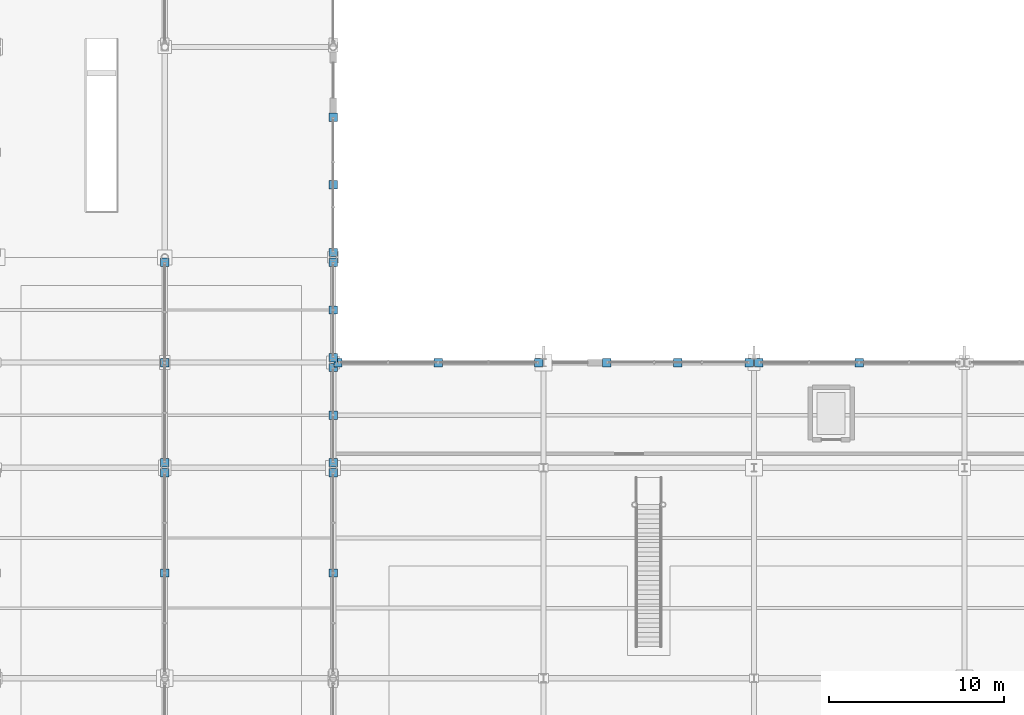
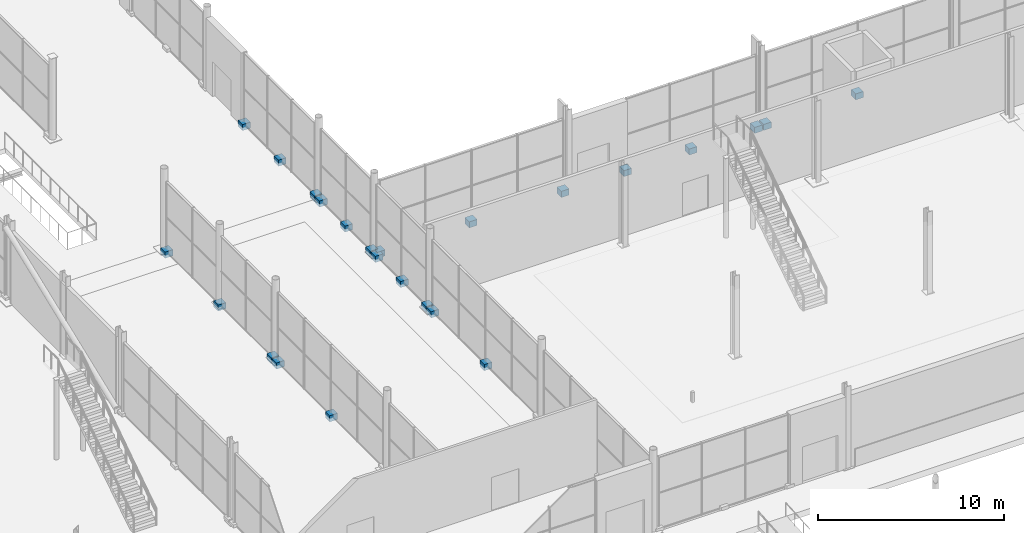
# One storey, part 184 of 196: 24 discrete accessories.
"""IFC4 building model written with IfcOpenShell, lengths in metres."""

from ifc_helpers import new_model, si_unit, direction, frame, origin, origin_2d, place, context, subcontext, project, spatial, rectangle, extrude, material, layer, layer_set, type_object, element, save


model = new_model("IFC4")

# Units and contexts
model_context = context("Model", 3, precision=1e-05, world=origin(), true_north=direction((0.0, 1.0)))
body_context = subcontext(model_context, "Body", "Model", "MODEL_VIEW")
ifc_project = project(units=[si_unit("LENGTHUNIT", "METRE"), si_unit("AREAUNIT", "SQUARE_METRE"), si_unit("VOLUMEUNIT", "CUBIC_METRE"), si_unit("PLANEANGLEUNIT", "RADIAN"), si_unit("MASSUNIT", "GRAM", prefix="KILO")], contexts=[model_context])

# Site, building, storey
site_placement = place(None, origin())
site = spatial("IfcSite", under=ifc_project, at=site_placement, CompositionType="ELEMENT")
building_placement = place(site_placement, origin())
building = spatial("IfcBuilding", under=site, at=building_placement, Name="Merenkruunu Market Hall", CompositionType="ELEMENT")
storey_placement = place(building_placement, origin())
storey = spatial("IfcBuildingStorey", under=building, at=storey_placement, Name="L00", CompositionType="ELEMENT", Elevation=0.0)

# Discrete accessories
ifc_material = material(Name="Brushed stainless steel", Category="steel")
ifc_layer = layer(ifc_material, 0.159912109375)
ifc_layer_set = layer_set([ifc_layer], Name="Brushed stainless steel")
discrete_accessory_type = type_object("IfcDiscreteAccessoryType", Name="Stainless Facade Support Bracket BRK01", PredefinedType="BRACKET", material=ifc_layer_set)
for number, where, z_axis, x_axis, name in (
    (1, (76.800048828125, 33.60009765625, -0.199951171875), (0.0, 0.0, 1.0), (1.0, 0.0, 0.0), "ACC-CWBRK-152-2"),
    (2, (76.800048828125, 39.320068359375, -0.199951171875), (0.0, 0.0, 1.0), (1.0, 0.0, 0.0), "ACC-CWBRK-152-3"),
    (3, (76.800048828125, 39.8798828125, -0.199951171875), (0.0, 0.0, 1.0), (1.0, 0.0, 0.0), "ACC-CWBRK-154-1"),
    (4, (76.800048828125, 42.60009765625, -0.199951171875), (0.0, 0.0, 1.0), (1.0, 0.0, 0.0), "ACC-CWBRK-154-2"),
    (5, (76.800048828125, 45.320068359375, -0.199951171875), (0.0, 0.0, 1.0), (1.0, 0.0, 0.0), "ACC-CWBRK-154-3"),
    (6, (76.800048828125, 51.320068359375, -0.199951171875), (0.0, 0.0, 1.0), (1.0, 0.0, 0.0), "ACC-CWBRK-156-1"),
    (7, (76.800048828125, 48.60009765625, -0.199951171875), (0.0, 0.0, 1.0), (1.0, 0.0, 0.0), "ACC-CWBRK-156-2"),
    (8, (76.800048828125, 45.8798828125, -0.199951171875), (0.0, 0.0, 1.0), (1.0, 0.0, 0.0), "ACC-CWBRK-156-3"),
    (9, (76.800048828125, 59.60009765625, -0.199951171875), (0.0, 0.0, 1.0), (1.0, 0.0, 0.0), "ACC-CWBRK-159-1"),
    (10, (76.800048828125, 55.739990234375, -0.199951171875), (0.0, 0.0, 1.0), (1.0, 0.0, 0.0), "ACC-CWBRK-159-2"),
    (11, (76.800048828125, 51.8798828125, -0.199951171875), (0.0, 0.0, 1.0), (1.0, 0.0, 0.0), "ACC-CWBRK-159-3"),
    (12, (67.199951171875, 33.60009765625, -0.199951171875), (0.0, 0.0, 1.0), (1.0, 0.0, 0.0), "ACC-CWBRK-170-2"),
    (13, (67.199951171875, 39.320068359375, -0.199951171875), (0.0, 0.0, 1.0), (1.0, 0.0, 0.0), "ACC-CWBRK-170-3"),
    (14, (67.199951171875, 39.8798828125, -0.199951171875), (0.0, 0.0, 1.0), (1.0, 0.0, 0.0), "ACC-CWBRK-172-1"),
    (15, (67.199951171875, 45.60009765625, -0.199951171875), (0.0, 0.0, 1.0), (1.0, 0.0, 0.0), "ACC-CWBRK-172-2"),
    (16, (67.199951171875, 51.320068359375, -0.199951171875), (0.0, 0.0, 1.0), (1.0, 0.0, 0.0), "ACC-CWBRK-172-3"),
    (17, (77.080078125, 45.60009765625, -0.199951171875), (0.0, 0.0, 1.0), (1.0, 0.0, 0.0), "ACC-CWBRK-182-1"),
    (18, (82.800048828125, 45.60009765625, -0.199951171875), (0.0, 0.0, 1.0), (1.0, 0.0, 0.0), "ACC-CWBRK-182-2"),
    (19, (88.52001953125, 45.60009765625, -0.199951171875), (0.0, 0.0, 1.0), (1.0, 0.0, 0.0), "ACC-CWBRK-182-3"),
    (20, (92.39990234375, 45.60009765625, -0.199951171875), (0.0, 0.0, 1.0), (1.0, 0.0, 0.0), "ACC-CWBRK-184-1"),
    (21, (96.4599609375, 45.60009765625, -0.199951171875), (0.0, 0.0, 1.0), (1.0, 0.0, 0.0), "ACC-CWBRK-184-2"),
    (22, (100.52001953125, 45.60009765625, -0.199951171875), (0.0, 0.0, 1.0), (1.0, 0.0, 0.0), "ACC-CWBRK-184-3"),
    (23, (101.080078125, 45.60009765625, -0.199951171875), (0.0, 0.0, 1.0), (1.0, 0.0, 0.0), "ACC-CWBRK-188-1"),
    (24, (106.800048828125, 45.60009765625, -0.199951171875), (0.0, 0.0, 1.0), (1.0, 0.0, 0.0), "ACC-CWBRK-188-2"),
):
    element("IfcDiscreteAccessory", number, at=place(storey_placement, frame(where, z_axis=z_axis, x_axis=x_axis)), inside=storey, type_object=discrete_accessory_type, Name=name, PredefinedType="BRACKET", context=body_context, shape_type="SweptSolid", body=[
        extrude(rectangle(XDim=0.47998046875, YDim=0.47998046875, at=origin_2d()), origin(), (0.0, 0.0, 1.0), 0.39990234375),
    ])

save(model, "model.ifc")
